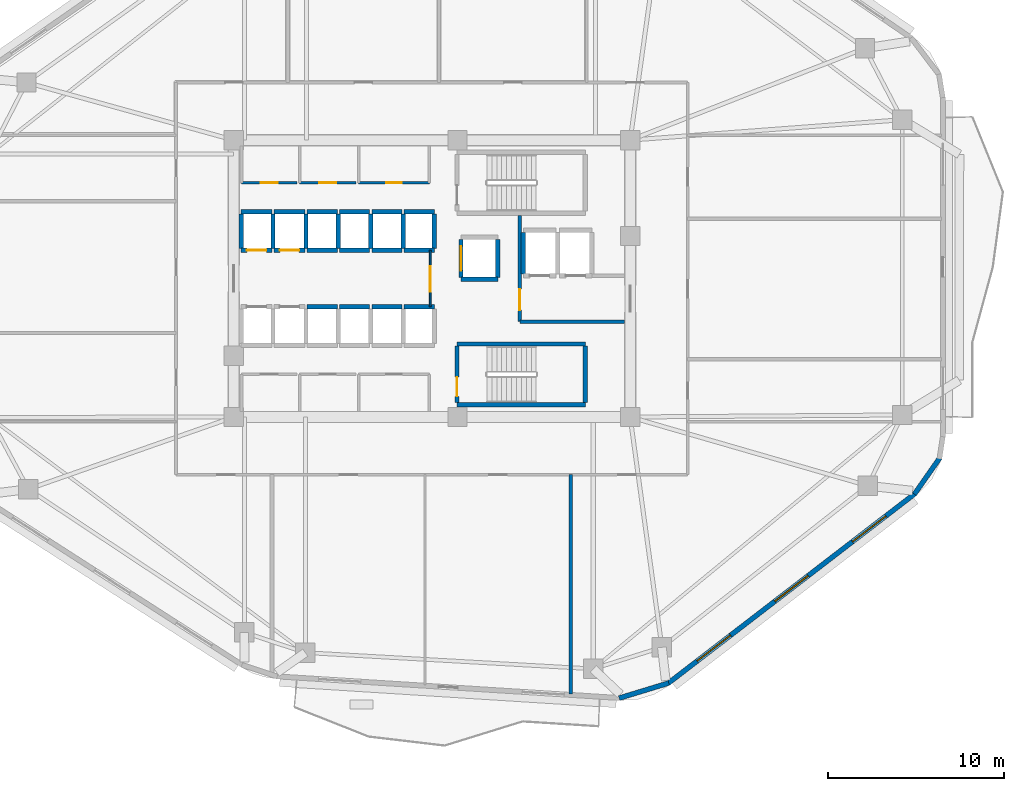
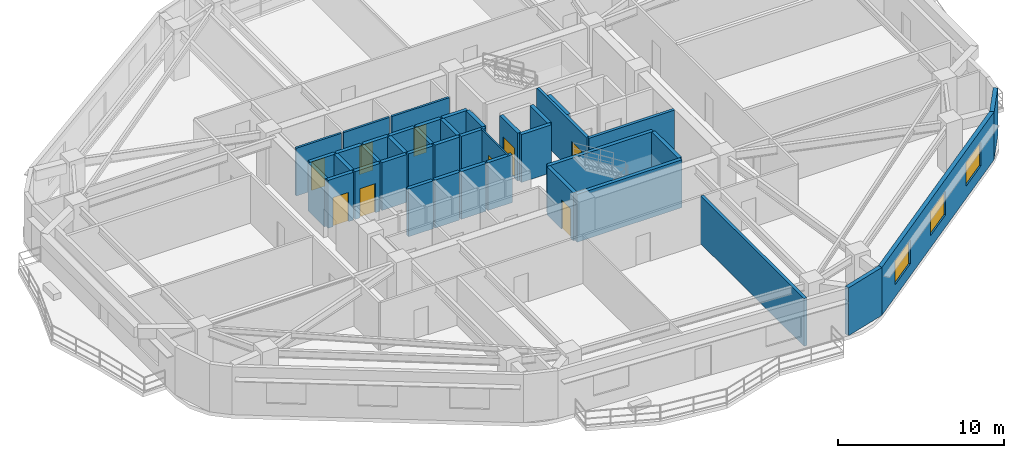
# One storey, part 8 of 13: 41 walls, 9 doors, 3 windows, 12 openings.
"""IFC4 building model written with IfcOpenShell, lengths in metres."""

import ifcopenshell
import ifcopenshell.guid

model = None  # the IFC model being written
_history = None  # IfcOwnerHistory: only IFC2X3 demands one
_inside = {}  # id of a spatial element -> (the spatial element, [elements in it])
_under = {}  # id of a project, library or spatial element -> (it, [spatial elements below it])
_declared = {}  # id of a project -> (the project, [libraries it declares])
_typed = {}  # id of a type object -> (the type object, [elements of that type])
_made_of = {}  # id of a material, layer set ... -> (it, [elements and type objects made of it])


def new_model(schema):
    """Start an empty IFC model of exactly this schema.

    Asked for "IFC4X3", IfcOpenShell would pick the latest addendum, in which some entities
    have other attributes; the version numbers below select the first issue.
    IFC2X3 requires an IfcOwnerHistory on every rooted entity: one is made here for all.
    """
    global model, _history
    if schema == "IFC4X3":
        model = ifcopenshell.file(schema_version=(4, 3, 0, 0))
    else:
        model = ifcopenshell.file(schema=schema)
    _inside.clear()
    _under.clear()
    _declared.clear()
    _typed.clear()
    _made_of.clear()
    _history = None
    if model.schema == "IFC2X3":
        org = make("IfcOrganization", Name="unknown")
        user = make(
            "IfcPersonAndOrganization",
            ThePerson=make("IfcPerson", FamilyName="unknown"),
            TheOrganization=org,
        )
        app = make(
            "IfcApplication",
            ApplicationDeveloper=org,
            Version="unknown",
            ApplicationFullName="unknown",
            ApplicationIdentifier="unknown",
        )
        _history = make(
            "IfcOwnerHistory",
            OwningUser=user,
            OwningApplication=app,
            ChangeAction="ADDED",
            CreationDate=0,
        )
    return model


def make(cls, **values):
    """One entity of the class cls with the attributes given. An attribute that is None is left unset."""
    return model.create_entity(
        cls, **{name: value for name, value in values.items() if value is not None}
    )


def rooted(cls, **values):
    """An entity with a GlobalId (a new one), such as an element, a storey or a relation."""
    return make(cls, GlobalId=ifcopenshell.guid.new(), OwnerHistory=_history, **values)


def si_unit(unit_type, name, prefix=None):
    """IfcSIUnit, for example si_unit("LENGTHUNIT", "METRE", prefix="MILLI")."""
    return make("IfcSIUnit", UnitType=unit_type, Prefix=prefix, Name=name)


def assignment(units):
    """IfcUnitAssignment: the units of a project."""
    return None if units is None else make("IfcUnitAssignment", Units=units)


def point(xyz):
    """IfcCartesianPoint."""
    return None if xyz is None else make("IfcCartesianPoint", Coordinates=xyz)


def direction(xyz):
    """IfcDirection."""
    return None if xyz is None else make("IfcDirection", DirectionRatios=xyz)


def frame(location, z_axis=None, x_axis=None):
    """IfcAxis2Placement3D, a coordinate frame: its origin and axes. An axis left out is left unset."""
    return make(
        "IfcAxis2Placement3D",
        Location=point(location),
        Axis=direction(z_axis),
        RefDirection=direction(x_axis),
    )


def frame_2d(location, x_axis=None):
    """IfcAxis2Placement2D, a coordinate frame in the plane: its origin and x axis."""
    return make(
        "IfcAxis2Placement2D", Location=point(location), RefDirection=direction(x_axis)
    )


def origin():
    """The frame at (0, 0, 0) with its axes left unset."""
    return frame((0.0, 0.0, 0.0))


def place(relative_to, where):
    """IfcLocalPlacement: puts the frame where relative to a parent placement (None: the world)."""
    return make(
        "IfcLocalPlacement", PlacementRelTo=relative_to, RelativePlacement=where
    )


def context(
    kind, dimensions, precision=None, world=None, true_north=None, identifier=None
):
    """IfcGeometricRepresentationContext, for example the 3D "Model" context."""
    return make(
        "IfcGeometricRepresentationContext",
        ContextIdentifier=identifier,
        ContextType=kind,
        CoordinateSpaceDimension=dimensions,
        Precision=precision,
        WorldCoordinateSystem=world,
        TrueNorth=true_north,
    )


def subcontext(parent, identifier, kind, view, scale=None):
    """IfcGeometricRepresentationSubContext, for example "Body" below "Model"."""
    return make(
        "IfcGeometricRepresentationSubContext",
        ContextIdentifier=identifier,
        ContextType=kind,
        ParentContext=parent,
        TargetScale=scale,
        TargetView=view,
    )


def project(units=None, contexts=None):
    """IfcProject with its units and contexts."""
    return rooted(
        "IfcProject",
        Name="project",
        RepresentationContexts=contexts,
        UnitsInContext=assignment(units),
    )


def spatial(cls, under=None, at=None, **own):
    """A site, building, storey or space (cls), placed at a placement, below another one or the project."""
    s = rooted(cls, ObjectPlacement=at, **own)
    if under is not None:
        _under.setdefault(under.id(), (under, []))[1].append(s)
    return s


def profile(cls, at=None, kind="AREA", **sizes):
    """A parametric profile (cls). Its sizes go by their IFC names, for example OverallWidth=200.0."""
    return make(cls, ProfileType=kind, Position=at, **sizes)


def rectangle(**sizes):
    """IfcRectangleProfileDef."""
    return profile("IfcRectangleProfileDef", **sizes)


def extrude(swept, where, along, depth):
    """IfcExtrudedAreaSolid: the profile swept, set in the frame where, extruded along a direction by depth."""
    return make(
        "IfcExtrudedAreaSolid",
        SweptArea=swept,
        Position=where,
        ExtrudedDirection=direction(along),
        Depth=depth,
    )


def shape(context_of_items, identifier, shape_type, items):
    """IfcShapeRepresentation: the items that make up one representation, for example the "Body"."""
    return make(
        "IfcShapeRepresentation",
        ContextOfItems=context_of_items,
        RepresentationIdentifier=identifier,
        RepresentationType=shape_type,
        Items=items,
    )


def material(Name=None, Category=None):
    """IfcMaterial."""
    return make("IfcMaterial", Name=Name, Category=Category)


def layer(
    of_material, thickness, ventilated=None, Name=None, Category=None, Priority=None
):
    """IfcMaterialLayer: one layer of a wall or slab, of a material (None: an air gap)."""
    return make(
        "IfcMaterialLayer",
        Material=of_material,
        LayerThickness=thickness,
        IsVentilated=ventilated,
        Name=Name,
        Category=Category,
        Priority=Priority,
    )


def layer_set(layers, Name=None):
    """IfcMaterialLayerSet."""
    return make("IfcMaterialLayerSet", MaterialLayers=layers, LayerSetName=Name)


def made_of(thing, what):
    """Note that an element or type object is made of a material, layer set ...; save() writes the relation."""
    if what is not None:
        _made_of.setdefault(what.id(), (what, []))[1].append(thing)
    return thing


def type_object(cls, material=None, **own):
    """A type object (cls), such as IfcWallType, which elements share."""
    return made_of(rooted(cls, **own), material)


def element(
    cls,
    number,
    at=None,
    inside=None,
    cuts=None,
    type_object=None,
    material=None,
    context=None,
    identifier="Body",
    shape_type=None,
    held_by="IfcProductDefinitionShape",
    body=None,
    shapes=None,
    **own,
):
    """One element of the class cls, such as IfcWall. Its Tag is "e" and its number.

    at: its placement. inside: the storey or other place that contains it. cuts: it is an
    opening in that element (IfcRelVoidsElement). A single representation is given by context,
    identifier, shape_type and body (its items); several are given by shapes. held_by: the class
    of the entity that holds the representations. save() writes the other relations.
    """
    e = rooted(cls, Tag="e%d" % number, ObjectPlacement=at, **own)
    if body is not None:
        shapes = [shape(context, identifier, shape_type, body)]
    if shapes is not None:
        e.Representation = make(held_by, Representations=shapes)
    if inside is not None:
        _inside.setdefault(inside.id(), (inside, []))[1].append(e)
    if cuts is not None:
        rooted(
            "IfcRelVoidsElement", RelatingBuildingElement=cuts, RelatedOpeningElement=e
        )
    if type_object is not None:
        _typed.setdefault(type_object.id(), (type_object, []))[1].append(e)
    return made_of(e, material)


def fill(opening, filler):
    """IfcRelFillsElement: the door or window that sits in an opening."""
    return rooted(
        "IfcRelFillsElement",
        RelatingOpeningElement=opening,
        RelatedBuildingElement=filler,
    )


def aggregate(whole, parts):
    """IfcRelAggregates: a whole, such as a stair, and the parts it consists of."""
    return rooted("IfcRelAggregates", RelatingObject=whole, RelatedObjects=parts)


def save(model, path):
    """Write the relations noted so far, then the file.

    IfcRelAggregates (storeys below a building ...), IfcRelContainedInSpatialStructure (elements
    in a storey), IfcRelDefinesByType, IfcRelAssociatesMaterial and IfcRelDeclares: one each for
    every whole, place, type object, material and project.
    """
    for whole, parts in _under.values():
        aggregate(whole, parts)
    for where, things in _inside.values():
        rooted(
            "IfcRelContainedInSpatialStructure",
            RelatedElements=things,
            RelatingStructure=where,
        )
    for kind, things in _typed.values():
        rooted("IfcRelDefinesByType", RelatedObjects=things, RelatingType=kind)
    for what, things in _made_of.values():
        rooted("IfcRelAssociatesMaterial", RelatedObjects=things, RelatingMaterial=what)
    for by, libraries in _declared.values():
        rooted("IfcRelDeclares", RelatingContext=by, RelatedDefinitions=libraries)
    model.write(path)


model = new_model("IFC4")

# Units and contexts
model_context = context("Model", 3, precision=1e-05, world=origin(), true_north=direction((0.0, 1.0)))
body_context = subcontext(model_context, "Body", "Model", "MODEL_VIEW")
ifc_project = project(units=[si_unit("LENGTHUNIT", "METRE"), si_unit("AREAUNIT", "SQUARE_METRE"), si_unit("VOLUMEUNIT", "CUBIC_METRE"), si_unit("PLANEANGLEUNIT", "RADIAN"), si_unit("MASSUNIT", "GRAM", prefix="KILO")], contexts=[model_context])

# Site, building, storey
site_placement = place(None, origin())
site = spatial("IfcSite", under=ifc_project, at=site_placement, CompositionType="ELEMENT")
building_placement = place(site_placement, origin())
building = spatial("IfcBuilding", under=site, at=building_placement, Name="Zulverin Broadcast Headquarters", CompositionType="ELEMENT")
storey_placement = place(building_placement, frame((0.0, 0.0, 101.0)))
storey = spatial("IfcBuildingStorey", under=building, at=storey_placement, Name="L25", CompositionType="ELEMENT", Elevation=101.0)

# Wall
ifc_material_1 = material(Name="Acoustic drywall steel stud", Category="steel")
ifc_layer_1 = layer(ifc_material_1, 0.199951171875, Name="Acoustic drywall steel stud", Category="steel")
ifc_layer_set_1 = layer_set([ifc_layer_1], Name="Acoustic drywall steel stud")
wall_type_1 = type_object("IfcWallType", Name="WL-ACOU-200", PredefinedType="PARTITIONING", material=ifc_layer_set_1)
wall_1_placement = place(storey_placement, frame((44.89990234375, 1.580078125, 0.0), z_axis=(0.0, 0.0, 1.0), x_axis=(0.0, 1.0, 0.0)))
element("IfcWall", 1, at=wall_1_placement, inside=storey, type_object=wall_type_1, Name="L25 Room Partition Wall RP-03", PredefinedType="PARTITIONING", context=body_context, shape_type="SweptSolid", body=[
    extrude(rectangle(XDim=12.469970703125, YDim=0.199951171875, at=frame_2d((6.23486328125, 0.0))), origin(), (0.0, 0.0, 1.0), 3.52490234375),
])

# Wall, openings, windows
ifc_material_2 = material(Name="Insulated pale-metal clad concrete spandrel C40/50", Category="concrete")
ifc_layer_2 = layer(ifc_material_2, 0.280029296875, Name="Insulated pale-metal clad concrete spandrel C40/50", Category="concrete")
ifc_layer_set_2 = layer_set([ifc_layer_2], Name="Insulated pale-metal clad concrete spandrel C40/50")
wall_type_2 = type_object("IfcWallType", Name="WL-EXT-280", PredefinedType="STANDARD", material=ifc_layer_set_2)
wall_2_placement = place(storey_placement, frame((50.4287109375, 2.171630859375, 0.0), z_axis=(0.0, 0.0, 1.0), x_axis=(0.792937466367, 0.609303023488, 0.0)))
wall_2 = element("IfcWall", 2, at=wall_2_placement, inside=storey, type_object=wall_type_2, Name="L25 Pale-Metal Clad Spandrel Wall 2", PredefinedType="STANDARD", context=body_context, shape_type="SweptSolid", body=[
    extrude(rectangle(XDim=17.712890625, YDim=0.280029296875, at=frame_2d((8.8564453125, 0.0))), origin(), (0.0, 0.0, 1.0), 3.52490234375),
])
opening_1_placement = place(wall_2_placement, frame((2.08544921875, 0.0, 0.89990234375)))
opening_1 = element("IfcOpeningElement", 3, at=opening_1_placement, cuts=wall_2, Name="Opening W-L25-E21", PredefinedType="OPENING", context=body_context, shape_type="SweptSolid", body=[
    extrude(rectangle(XDim=2.39990234375, YDim=1.75, at=frame_2d((1.199951171875, 0.875))), frame((0.0, 0.14990234375, 0.0), z_axis=(0.0, -1.0, 0.0), x_axis=(1.0, 0.0, 0.0)), (0.0, 0.0, 1.0), 0.300048828125),
])
opening_2_placement = place(wall_2_placement, frame((7.656494140625, 0.0, 0.89990234375)))
opening_2 = element("IfcOpeningElement", 4, at=opening_2_placement, cuts=wall_2, Name="Opening W-L25-E22", PredefinedType="OPENING", context=body_context, shape_type="SweptSolid", body=[
    extrude(rectangle(XDim=2.39990234375, YDim=1.75, at=frame_2d((1.199951171875, 0.875))), frame((0.0, 0.14990234375, 0.0), z_axis=(0.0, -1.0, 0.0), x_axis=(1.0, 0.0, 0.0)), (0.0, 0.0, 1.0), 0.300048828125),
])
opening_3_placement = place(wall_2_placement, frame((13.227294921875, 0.0, 0.89990234375)))
opening_3 = element("IfcOpeningElement", 5, at=opening_3_placement, cuts=wall_2, Name="Opening W-L25-E23", PredefinedType="OPENING", context=body_context, shape_type="SweptSolid", body=[
    extrude(rectangle(XDim=2.39990234375, YDim=1.75, at=frame_2d((1.199951171875, 0.875))), frame((0.0, 0.14990234375, 0.0), z_axis=(0.0, -1.0, 0.0), x_axis=(1.0, 0.0, 0.0)), (0.0, 0.0, 1.0), 0.300048828125),
])
ifc_material_3 = material(Name="Pale anodized aluminium frame with solar-control low-E double glazing", Category="aluminium")
window_type = type_object("IfcWindowType", Name="WIN-RIB-2400", PartitioningType="SINGLE_PANEL", PredefinedType="WINDOW", material=ifc_material_3)
window_1_placement = place(opening_1_placement, origin())
window_1 = element("IfcWindow", 6, at=window_1_placement, inside=storey, type_object=window_type, Name="L25 Ribbon Glazing Window 2 1", OverallHeight=1.75, OverallWidth=2.39990234375, PartitioningType="SINGLE_PANEL", PredefinedType="WINDOW", context=body_context, shape_type="SweptSolid", body=[
    extrude(rectangle(XDim=2.39990234375, YDim=1.75, at=frame_2d((1.199951171875, 0.875))), frame((0.0, 0.030029296875, 0.0), z_axis=(0.0, -1.0, 0.0), x_axis=(1.0, 0.0, 0.0)), (0.0, 0.0, 1.0), 0.06005859375),
])
fill(opening_1, window_1)
window_2_placement = place(opening_2_placement, origin())
window_2 = element("IfcWindow", 7, at=window_2_placement, inside=storey, type_object=window_type, Name="L25 Ribbon Glazing Window 2 2", OverallHeight=1.75, OverallWidth=2.39990234375, PartitioningType="SINGLE_PANEL", PredefinedType="WINDOW", context=body_context, shape_type="SweptSolid", body=[
    extrude(rectangle(XDim=2.39990234375, YDim=1.75, at=frame_2d((1.199951171875, 0.875))), frame((0.0, 0.030029296875, 0.0), z_axis=(0.0, -1.0, 0.0), x_axis=(1.0, 0.0, 0.0)), (0.0, 0.0, 1.0), 0.06005859375),
])
fill(opening_2, window_2)
window_3_placement = place(opening_3_placement, origin())
window_3 = element("IfcWindow", 8, at=window_3_placement, inside=storey, type_object=window_type, Name="L25 Ribbon Glazing Window 2 3", OverallHeight=1.75, OverallWidth=2.39990234375, PartitioningType="SINGLE_PANEL", PredefinedType="WINDOW", context=body_context, shape_type="SweptSolid", body=[
    extrude(rectangle(XDim=2.39990234375, YDim=1.75, at=frame_2d((1.199951171875, 0.875))), frame((0.0, 0.030029296875, 0.0), z_axis=(0.0, -1.0, 0.0), x_axis=(1.0, 0.0, 0.0)), (0.0, 0.0, 1.0), 0.06005859375),
])
fill(opening_3, window_3)

# Walls
wall_3_placement = place(storey_placement, frame((47.649658203125, 1.3330078125, 0.0), z_axis=(0.0, 0.0, 1.0), x_axis=(0.956461287977, 0.291859220516, 0.0)))
element("IfcWall", 9, at=wall_3_placement, inside=storey, type_object=wall_type_2, Name="L25 Wind-Shaped Corner Spandrel Wall 1-1", PredefinedType="STANDARD", context=body_context, shape_type="SweptSolid", body=[
    extrude(rectangle(XDim=2.951904296875, YDim=0.280029296875, at=frame_2d((1.47607421875, 0.0))), origin(), (0.0, 0.0, 1.0), 3.52490234375),
])
wall_4_placement = place(storey_placement, frame((64.4443359375, 12.933349609375, 0.0), z_axis=(0.0, 0.0, 1.0), x_axis=(0.573176686443, 0.819431806875, 0.0)))
element("IfcWall", 10, at=wall_4_placement, inside=storey, type_object=wall_type_2, Name="L25 Wind-Shaped Corner Spandrel Wall 2-1", PredefinedType="STANDARD", context=body_context, shape_type="SweptSolid", body=[
    extrude(rectangle(XDim=2.524169921875, YDim=0.280029296875, at=frame_2d((1.26220703125, 0.0))), origin(), (0.0, 0.0, 1.0), 3.52490234375),
])

# Wall, opening, door
ifc_material_4 = material(Name="Concrete C40/50", Category="concrete")
ifc_layer_3 = layer(ifc_material_4, 0.199951171875, Name="Concrete C40/50", Category="concrete")
ifc_layer_set_3 = layer_set([ifc_layer_3], Name="Concrete C40/50")
wall_type_3 = type_object("IfcWallType", Name="WL-FFL-200", PredefinedType="SOLIDWALL", material=ifc_layer_set_3)
wall_5_placement = place(storey_placement, frame((42.0, 22.75, 0.0), z_axis=(0.0, 0.0, 1.0), x_axis=(0.0, 1.0, 0.0)))
wall_5 = element("IfcWall", 11, at=wall_5_placement, inside=storey, type_object=wall_type_3, Name="L25 Firefighting Lift Lobby West Wall", PredefinedType="SOLIDWALL", context=body_context, shape_type="SweptSolid", body=[
    extrude(rectangle(XDim=6.050048828125, YDim=0.199951171875, at=frame_2d((3.02490234375, 0.0))), origin(), (0.0, 0.0, 1.0), 3.52490234375),
])
opening_4_placement = place(wall_5_placement, frame((0.64990234375, 0.0, 0.0)))
opening_4 = element("IfcOpeningElement", 12, at=opening_4_placement, cuts=wall_5, Name="Opening D-L25-FFLW", PredefinedType="OPENING", context=body_context, shape_type="SweptSolid", body=[
    extrude(rectangle(XDim=1.199951171875, YDim=2.14990234375, at=frame_2d((0.60009765625, 1.074951171875))), frame((0.0, 0.10986328125, 0.0), z_axis=(0.0, -1.0, 0.0), x_axis=(1.0, 0.0, 0.0)), (0.0, 0.0, 1.0), 0.219970703125),
])
ifc_material_5 = material(Name="Fire-rated steel leaf and frame", Category="steel")
door_type_1 = type_object("IfcDoorType", Name="DR-FFL-1200", OperationType="SINGLE_SWING_RIGHT", PredefinedType="DOOR", material=ifc_material_5)
door_1_placement = place(opening_4_placement, origin())
door_1 = element("IfcDoor", 13, at=door_1_placement, inside=storey, type_object=door_type_1, Name="L25 Firefighting Lift Lobby Door", OperationType="SINGLE_SWING_RIGHT", OverallHeight=2.14990234375, OverallWidth=1.199951171875, PredefinedType="DOOR", context=body_context, shape_type="SweptSolid", body=[
    extrude(rectangle(XDim=1.199951171875, YDim=2.14990234375, at=frame_2d((0.60009765625, 1.074951171875))), frame((0.0, 0.02490234375, 0.0), z_axis=(0.0, -1.0, 0.0), x_axis=(1.0, 0.0, 0.0)), (0.0, 0.0, 1.0), 0.050048828125),
])
fill(opening_4, door_1)

# Wall
wall_6_placement = place(storey_placement, frame((42.0, 22.75, 0.0), z_axis=(0.0, 0.0, 1.0), x_axis=(1.0, 0.0, 0.0)))
element("IfcWall", 14, at=wall_6_placement, inside=storey, type_object=wall_type_3, Name="L25 Firefighting Lift Lobby South Wall", PredefinedType="SOLIDWALL", context=body_context, shape_type="SweptSolid", body=[
    extrude(rectangle(XDim=5.949951171875, YDim=0.199951171875, at=frame_2d((2.97509765625, 0.0))), origin(), (0.0, 0.0, 1.0), 3.52490234375),
])

# Wall, opening, door
ifc_material_6 = material(Name="Fire-rated acoustic laminated glass screen", Category="glass")
ifc_layer_4 = layer(ifc_material_6, 0.10009765625, Name="Fire-rated acoustic laminated glass screen", Category="glass")
ifc_layer_set_4 = layer_set([ifc_layer_4], Name="Fire-rated acoustic laminated glass screen")
wall_type_4 = type_object("IfcWallType", Name="WL-GLAZ-100", PredefinedType="PARTITIONING", material=ifc_layer_set_4)
wall_7_placement = place(storey_placement, frame((36.89990234375, 23.60009765625, 0.0), z_axis=(0.0, 0.0, 1.0), x_axis=(0.0, 1.0, 0.0)))
wall_7 = element("IfcWall", 15, at=wall_7_placement, inside=storey, type_object=wall_type_4, Name="L25 Core Goods & Stair Hall Screen", PredefinedType="PARTITIONING", context=body_context, shape_type="SweptSolid", body=[
    extrude(rectangle(XDim=3.199951171875, YDim=0.10009765625, at=frame_2d((1.60009765625, 0.0))), origin(), (0.0, 0.0, 1.0), 3.52490234375),
])
opening_5_placement = place(wall_7_placement, frame((0.85009765625, 0.0, 0.0)))
opening_5 = element("IfcOpeningElement", 16, at=opening_5_placement, cuts=wall_7, Name="Opening D-L25-CL3", PredefinedType="OPENING", context=body_context, shape_type="SweptSolid", body=[
    extrude(rectangle(XDim=1.449951171875, YDim=2.1201171875, at=frame_2d((0.72509765625, 1.06005859375))), frame((0.0, 0.06005859375, 0.0), z_axis=(0.0, -1.0, 0.0), x_axis=(1.0, 0.0, 0.0)), (0.0, 0.0, 1.0), 0.1201171875),
])
ifc_material_7 = material(Name="Fire-rated acoustic glazed double leaf", Category="glass")
door_type_2 = type_object("IfcDoorType", Name="DR-GLZ-1450", OperationType="DOUBLE_DOOR_SINGLE_SWING", PredefinedType="DOOR", material=ifc_material_7)
door_2_placement = place(opening_5_placement, origin())
door_2 = element("IfcDoor", 17, at=door_2_placement, inside=storey, type_object=door_type_2, Name="L25 Core Goods & Stair Hall Door", OperationType="DOUBLE_DOOR_SINGLE_SWING", OverallHeight=2.1201171875, OverallWidth=1.449951171875, PredefinedType="DOOR", context=body_context, shape_type="SweptSolid", body=[
    extrude(rectangle(XDim=1.449951171875, YDim=2.1201171875, at=frame_2d((0.72509765625, 1.06005859375))), frame((0.0, 0.02490234375, 0.0), z_axis=(0.0, -1.0, 0.0), x_axis=(1.0, 0.0, 0.0)), (0.0, 0.0, 1.0), 0.050048828125),
])
fill(opening_5, door_2)

ifc_material_8 = material(Name="Fire-rated gypsum stud partition", Category="gypsum")
ifc_layer_5 = layer(ifc_material_8, 0.14990234375, Name="Fire-rated gypsum stud partition", Category="gypsum")
ifc_layer_set_5 = layer_set([ifc_layer_5], Name="Fire-rated gypsum stud partition")
wall_type_5 = type_object("IfcWallType", Name="WL-PART-150", PredefinedType="PARTITIONING", material=ifc_layer_set_5)
wall_8_placement = place(storey_placement, frame((26.169921875, 30.64990234375, 0.0), z_axis=(0.0, 0.0, 1.0), x_axis=(1.0, 0.0, 0.0)))
wall_8 = element("IfcWall", 18, at=wall_8_placement, inside=storey, type_object=wall_type_5, Name="L25 Core Male WC Front Wall", PredefinedType="PARTITIONING", context=body_context, shape_type="SweptSolid", body=[
    extrude(rectangle(XDim=3.150146484375, YDim=0.14990234375, at=frame_2d((1.5751953125, 0.0))), origin(), (0.0, 0.0, 1.0), 3.52490234375),
])
opening_6_placement = place(wall_8_placement, frame((1.10009765625, 0.0, 0.0)))
opening_6 = element("IfcOpeningElement", 19, at=opening_6_placement, cuts=wall_8, Name="Opening D-L25-NC1", PredefinedType="OPENING", context=body_context, shape_type="SweptSolid", body=[
    extrude(rectangle(XDim=0.949951171875, YDim=2.10009765625, at=frame_2d((0.47509765625, 1.050048828125))), frame((0.0, 0.0849609375, 0.0), z_axis=(0.0, -1.0, 0.0), x_axis=(1.0, 0.0, 0.0)), (0.0, 0.0, 1.0), 0.169921875),
])
ifc_material_9 = material(Name="Fire-rated moisture-resistant laminate leaf", Category="wood")
door_type_3 = type_object("IfcDoorType", Name="DR-WC-950", OperationType="SINGLE_SWING_LEFT", PredefinedType="DOOR", material=ifc_material_9)
door_3_placement = place(opening_6_placement, origin())
door_3 = element("IfcDoor", 20, at=door_3_placement, inside=storey, type_object=door_type_3, Name="L25 Male WC Door", OperationType="SINGLE_SWING_LEFT", OverallHeight=2.10009765625, OverallWidth=0.949951171875, PredefinedType="DOOR", context=body_context, shape_type="SweptSolid", body=[
    extrude(rectangle(XDim=0.949951171875, YDim=2.10009765625, at=frame_2d((0.47509765625, 1.050048828125))), frame((0.0, 0.02490234375, 0.0), z_axis=(0.0, -1.0, 0.0), x_axis=(1.0, 0.0, 0.0)), (0.0, 0.0, 1.0), 0.050048828125),
])
fill(opening_6, door_3)

wall_9_placement = place(storey_placement, frame((29.47998046875, 30.64990234375, 0.0), z_axis=(0.0, 0.0, 1.0), x_axis=(1.0, 0.0, 0.0)))
wall_9 = element("IfcWall", 21, at=wall_9_placement, inside=storey, type_object=wall_type_5, Name="L25 Core Accessible WC Front Wall", PredefinedType="PARTITIONING", context=body_context, shape_type="SweptSolid", body=[
    extrude(rectangle(XDim=3.18994140625, YDim=0.14990234375, at=frame_2d((1.594970703125, 0.0))), origin(), (0.0, 0.0, 1.0), 3.52490234375),
])
opening_7_placement = place(wall_9_placement, frame((1.1201171875, 0.0, 0.0)))
opening_7 = element("IfcOpeningElement", 22, at=opening_7_placement, cuts=wall_9, Name="Opening D-L25-NC2", PredefinedType="OPENING", context=body_context, shape_type="SweptSolid", body=[
    extrude(rectangle(XDim=0.949951171875, YDim=2.10009765625, at=frame_2d((0.47509765625, 1.050048828125))), frame((0.0, 0.0849609375, 0.0), z_axis=(0.0, -1.0, 0.0), x_axis=(1.0, 0.0, 0.0)), (0.0, 0.0, 1.0), 0.169921875),
])
door_4_placement = place(opening_7_placement, origin())
door_4 = element("IfcDoor", 23, at=door_4_placement, inside=storey, type_object=door_type_3, Name="L25 Accessible WC Door", OperationType="SINGLE_SWING_RIGHT", OverallHeight=2.10009765625, OverallWidth=0.949951171875, PredefinedType="DOOR", context=body_context, shape_type="SweptSolid", body=[
    extrude(rectangle(XDim=0.949951171875, YDim=2.10009765625, at=frame_2d((0.47509765625, 1.050048828125))), frame((0.0, 0.02490234375, 0.0), z_axis=(0.0, -1.0, 0.0), x_axis=(1.0, 0.0, 0.0)), (0.0, 0.0, 1.0), 0.050048828125),
])
fill(opening_7, door_4)

wall_10_placement = place(storey_placement, frame((32.830078125, 30.64990234375, 0.0), z_axis=(0.0, 0.0, 1.0), x_axis=(1.0, 0.0, 0.0)))
wall_10 = element("IfcWall", 24, at=wall_10_placement, inside=storey, type_object=wall_type_5, Name="L25 Core Electrical Distribution Riser Front Wall", PredefinedType="PARTITIONING", context=body_context, shape_type="SweptSolid", body=[
    extrude(rectangle(XDim=4.02001953125, YDim=0.14990234375, at=frame_2d((2.010009765625, 0.0))), origin(), (0.0, 0.0, 1.0), 3.52490234375),
])
opening_8_placement = place(wall_10_placement, frame((1.56005859375, 0.0, 0.0)))
opening_8 = element("IfcOpeningElement", 25, at=opening_8_placement, cuts=wall_10, Name="Opening D-L25-NC3", PredefinedType="OPENING", context=body_context, shape_type="SweptSolid", body=[
    extrude(rectangle(XDim=0.89990234375, YDim=2.10009765625, at=frame_2d((0.449951171875, 1.050048828125))), frame((0.0, 0.0849609375, 0.0), z_axis=(0.0, -1.0, 0.0), x_axis=(1.0, 0.0, 0.0)), (0.0, 0.0, 1.0), 0.169921875),
])
ifc_material_10 = material(Name="Powder-coated steel access leaf", Category="steel")
door_type_4 = type_object("IfcDoorType", Name="DR-RISER-900", OperationType="SINGLE_SWING_LEFT", PredefinedType="DOOR", material=ifc_material_10)
door_5_placement = place(opening_8_placement, origin())
door_5 = element("IfcDoor", 26, at=door_5_placement, inside=storey, type_object=door_type_4, Name="L25 Electrical Distribution Riser Door", OperationType="SINGLE_SWING_LEFT", OverallHeight=2.10009765625, OverallWidth=0.89990234375, PredefinedType="DOOR", context=body_context, shape_type="SweptSolid", body=[
    extrude(rectangle(XDim=0.89990234375, YDim=2.10009765625, at=frame_2d((0.449951171875, 1.050048828125))), frame((0.0, 0.02490234375, 0.0), z_axis=(0.0, -1.0, 0.0), x_axis=(1.0, 0.0, 0.0)), (0.0, 0.0, 1.0), 0.050048828125),
])
fill(opening_8, door_5)

# Walls
ifc_material_11 = material(Name="Concrete C50/60", Category="concrete")
ifc_layer_6 = layer(ifc_material_11, 0.25, Name="Concrete C50/60", Category="concrete")
ifc_layer_set_6 = layer_set([ifc_layer_6], Name="Concrete C50/60")
wall_type_6 = type_object("IfcWallType", Name="WL-SHAFT-250", PredefinedType="SHEAR", material=ifc_layer_set_6)
for number, where, z_axis, x_axis, name in (
    (27, (38.425048828125, 18.02490234375, 0.0), (0.0, 0.0, 1.0), (1.0, 0.0, 0.0), "L25 ST-2 Enclosure Wall S"),
    (28, (38.425048828125, 21.47509765625, 0.0), (0.0, 0.0, 1.0), (1.0, 0.0, 0.0), "L25 ST-2 Enclosure Wall N"),
):
    element("IfcWall", number, at=place(storey_placement, frame(where, z_axis=z_axis, x_axis=x_axis)), inside=storey, type_object=wall_type_6, Name=name, PredefinedType="SHEAR", context=body_context, shape_type="SweptSolid", body=[
        extrude(rectangle(XDim=7.300048828125, YDim=0.25, at=frame_2d((3.64990234375, 0.0))), origin(), (0.0, 0.0, 1.0), 3.52490234375),
    ])

# Wall, opening, door
wall_11_placement = place(storey_placement, frame((38.425048828125, 18.14990234375, 0.0), z_axis=(0.0, 0.0, 1.0), x_axis=(0.0, 1.0, 0.0)))
wall_11 = element("IfcWall", 29, at=wall_11_placement, inside=storey, type_object=wall_type_6, Name="L25 ST-2 Enclosure Wall W", PredefinedType="SHEAR", context=body_context, shape_type="SweptSolid", body=[
    extrude(rectangle(XDim=3.2001953125, YDim=0.25, at=frame_2d((1.60009765625, 0.0))), origin(), (0.0, 0.0, 1.0), 3.52490234375),
])
opening_9_placement = place(wall_11_placement, frame((0.35009765625, 0.0, 0.0)))
opening_9 = element("IfcOpeningElement", 30, at=opening_9_placement, cuts=wall_11, Name="Opening D-L25-ST-2", PredefinedType="OPENING", context=body_context, shape_type="SweptSolid", body=[
    extrude(rectangle(XDim=1.10009765625, YDim=2.14990234375, at=frame_2d((0.550048828125, 1.074951171875))), frame((0.0, 0.135009765625, 0.0), z_axis=(0.0, -1.0, 0.0), x_axis=(1.0, 0.0, 0.0)), (0.0, 0.0, 1.0), 0.27001953125),
])
door_type_5 = type_object("IfcDoorType", Name="DR-STAIR-1100", OperationType="SINGLE_SWING_LEFT", PredefinedType="DOOR", material=ifc_material_5)
door_6_placement = place(opening_9_placement, origin())
door_6 = element("IfcDoor", 31, at=door_6_placement, inside=storey, type_object=door_type_5, Name="L25 Exit Stair ST-2 Fire Door", OperationType="SINGLE_SWING_RIGHT", OverallHeight=2.14990234375, OverallWidth=1.10009765625, PredefinedType="DOOR", context=body_context, shape_type="SweptSolid", body=[
    extrude(rectangle(XDim=1.10009765625, YDim=2.14990234375, at=frame_2d((0.550048828125, 1.074951171875))), frame((0.0, 0.02490234375, 0.0), z_axis=(0.0, -1.0, 0.0), x_axis=(1.0, 0.0, 0.0)), (0.0, 0.0, 1.0), 0.050048828125),
])
fill(opening_9, door_6)

# Wall
wall_12_placement = place(storey_placement, frame((45.72509765625, 18.14990234375, 0.0), z_axis=(0.0, 0.0, 1.0), x_axis=(0.0, 1.0, 0.0)))
element("IfcWall", 32, at=wall_12_placement, inside=storey, type_object=wall_type_6, Name="L25 ST-2 Enclosure Wall E", PredefinedType="SHEAR", context=body_context, shape_type="SweptSolid", body=[
    extrude(rectangle(XDim=3.2001953125, YDim=0.25, at=frame_2d((1.60009765625, 0.0))), origin(), (0.0, 0.0, 1.0), 3.52490234375),
])

# Wall, opening, door
wall_13_placement = place(storey_placement, frame((26.14990234375, 26.800048828125, 0.0), z_axis=(0.0, 0.0, 1.0), x_axis=(1.0, 0.0, 0.0)))
wall_13 = element("IfcWall", 33, at=wall_13_placement, inside=storey, type_object=wall_type_6, Name="L25 Lift PL-L1 Shaft Wall S", PredefinedType="SHEAR", context=body_context, shape_type="SweptSolid", body=[
    extrude(rectangle(XDim=1.75, YDim=0.25, at=frame_2d((0.875, 0.0))), origin(), (0.0, 0.0, 1.0), 3.52490234375),
])
opening_10_placement = place(wall_13_placement, frame((0.324951171875, 0.0, 0.0)))
opening_10 = element("IfcOpeningElement", 34, at=opening_10_placement, cuts=wall_13, Name="Opening LD-PL-L1-L25", PredefinedType="OPENING", context=body_context, shape_type="SweptSolid", body=[
    extrude(rectangle(XDim=1.10009765625, YDim=2.14990234375, at=frame_2d((0.550048828125, 1.074951171875))), frame((0.0, 0.135009765625, 0.0), z_axis=(0.0, -1.0, 0.0), x_axis=(1.0, 0.0, 0.0)), (0.0, 0.0, 1.0), 0.27001953125),
])
ifc_material_12 = material(Name="Brushed stainless steel landing", Category="steel")
door_type_6 = type_object("IfcDoorType", Name="LD-PASS-1100", OperationType="DOUBLE_DOOR_SLIDING", PredefinedType="DOOR", material=ifc_material_12)
door_7_placement = place(opening_10_placement, origin())
door_7 = element("IfcDoor", 35, at=door_7_placement, inside=storey, type_object=door_type_6, Name="L25 Lift PL-L1 Sliding Landing Door", OperationType="DOUBLE_DOOR_SLIDING", OverallHeight=2.14990234375, OverallWidth=1.10009765625, PredefinedType="DOOR", context=body_context, shape_type="SweptSolid", body=[
    extrude(rectangle(XDim=1.10009765625, YDim=2.14990234375, at=frame_2d((0.550048828125, 1.074951171875))), frame((0.0, 0.02490234375, 0.0), z_axis=(0.0, -1.0, 0.0), x_axis=(1.0, 0.0, 0.0)), (0.0, 0.0, 1.0), 0.050048828125),
])
fill(opening_10, door_7)

# Walls
wall_14_placement = place(storey_placement, frame((26.14990234375, 29.0, 0.0), z_axis=(0.0, 0.0, 1.0), x_axis=(1.0, 0.0, 0.0)))
element("IfcWall", 36, at=wall_14_placement, inside=storey, type_object=wall_type_6, Name="L25 Lift PL-L1 Shaft Wall N", PredefinedType="SHEAR", context=body_context, shape_type="SweptSolid", body=[
    extrude(rectangle(XDim=1.75, YDim=0.25, at=frame_2d((0.875, 0.0))), origin(), (0.0, 0.0, 1.0), 3.52490234375),
])
for number, where, z_axis, x_axis, name in (
    (37, (26.14990234375, 26.919921875, 0.0), (0.0, 0.0, 1.0), (0.0, 1.0, 0.0), "L25 Lift PL-L1 Shaft Wall W"),
    (38, (27.9599609375, 26.919921875, 0.0), (0.0, 0.0, 1.0), (0.0, 1.0, 0.0), "L25 Lift PL-L1 Shaft Wall E"),
):
    element("IfcWall", number, at=place(storey_placement, frame(where, z_axis=z_axis, x_axis=x_axis)), inside=storey, type_object=wall_type_6, Name=name, PredefinedType="SHEAR", context=body_context, shape_type="SweptSolid", body=[
        extrude(rectangle(XDim=1.9599609375, YDim=0.25, at=frame_2d((0.97998046875, 0.0))), origin(), (0.0, 0.0, 1.0), 3.52490234375),
    ])

# Wall, opening, door
wall_15_placement = place(storey_placement, frame((28.02001953125, 26.800048828125, 0.0), z_axis=(0.0, 0.0, 1.0), x_axis=(1.0, 0.0, 0.0)))
wall_15 = element("IfcWall", 39, at=wall_15_placement, inside=storey, type_object=wall_type_6, Name="L25 Lift PL-L2 Shaft Wall S", PredefinedType="SHEAR", context=body_context, shape_type="SweptSolid", body=[
    extrude(rectangle(XDim=1.75, YDim=0.25, at=frame_2d((0.875, 0.0))), origin(), (0.0, 0.0, 1.0), 3.52490234375),
])
opening_11_placement = place(wall_15_placement, frame((0.324951171875, 0.0, 0.0)))
opening_11 = element("IfcOpeningElement", 40, at=opening_11_placement, cuts=wall_15, Name="Opening LD-PL-L2-L25", PredefinedType="OPENING", context=body_context, shape_type="SweptSolid", body=[
    extrude(rectangle(XDim=1.10009765625, YDim=2.14990234375, at=frame_2d((0.550048828125, 1.074951171875))), frame((0.0, 0.135009765625, 0.0), z_axis=(0.0, -1.0, 0.0), x_axis=(1.0, 0.0, 0.0)), (0.0, 0.0, 1.0), 0.27001953125),
])
door_8_placement = place(opening_11_placement, origin())
door_8 = element("IfcDoor", 41, at=door_8_placement, inside=storey, type_object=door_type_6, Name="L25 Lift PL-L2 Sliding Landing Door", OperationType="DOUBLE_DOOR_SLIDING", OverallHeight=2.14990234375, OverallWidth=1.10009765625, PredefinedType="DOOR", context=body_context, shape_type="SweptSolid", body=[
    extrude(rectangle(XDim=1.10009765625, YDim=2.14990234375, at=frame_2d((0.550048828125, 1.074951171875))), frame((0.0, 0.02490234375, 0.0), z_axis=(0.0, -1.0, 0.0), x_axis=(1.0, 0.0, 0.0)), (0.0, 0.0, 1.0), 0.050048828125),
])
fill(opening_11, door_8)

# Walls
wall_16_placement = place(storey_placement, frame((28.02001953125, 29.0, 0.0), z_axis=(0.0, 0.0, 1.0), x_axis=(1.0, 0.0, 0.0)))
element("IfcWall", 42, at=wall_16_placement, inside=storey, type_object=wall_type_6, Name="L25 Lift PL-L2 Shaft Wall N", PredefinedType="SHEAR", context=body_context, shape_type="SweptSolid", body=[
    extrude(rectangle(XDim=1.75, YDim=0.25, at=frame_2d((0.875, 0.0))), origin(), (0.0, 0.0, 1.0), 3.52490234375),
])
wall_17_placement = place(storey_placement, frame((29.8349609375, 26.919921875, 0.0), z_axis=(0.0, 0.0, 1.0), x_axis=(0.0, 1.0, 0.0)))
element("IfcWall", 43, at=wall_17_placement, inside=storey, type_object=wall_type_6, Name="L25 Lift PL-L2 Shaft Wall E", PredefinedType="SHEAR", context=body_context, shape_type="SweptSolid", body=[
    extrude(rectangle(XDim=1.9599609375, YDim=0.25, at=frame_2d((0.97998046875, 0.0))), origin(), (0.0, 0.0, 1.0), 3.52490234375),
])
wall_18_placement = place(storey_placement, frame((29.89990234375, 23.60009765625, 0.0), z_axis=(0.0, 0.0, 1.0), x_axis=(1.0, 0.0, 0.0)))
element("IfcWall", 44, at=wall_18_placement, inside=storey, type_object=wall_type_6, Name="L25 Lift PL-M1 Shaft Wall N", PredefinedType="SHEAR", context=body_context, shape_type="SweptSolid", body=[
    extrude(rectangle(XDim=1.72021484375, YDim=0.25, at=frame_2d((0.860107421875, 0.0))), origin(), (0.0, 0.0, 1.0), 3.52490234375),
])
for number, where, z_axis, x_axis, name in (
    (45, (31.739990234375, 23.60009765625, 0.0), (0.0, 0.0, 1.0), (1.0, 0.0, 0.0), "L25 Lift PL-M2 Shaft Wall N"),
    (46, (33.580078125, 23.60009765625, 0.0), (0.0, 0.0, 1.0), (1.0, 0.0, 0.0), "L25 Lift PL-M3 Shaft Wall N"),
    (47, (35.419921875, 23.60009765625, 0.0), (0.0, 0.0, 1.0), (1.0, 0.0, 0.0), "L25 Lift PL-M4 Shaft Wall N"),
):
    element("IfcWall", number, at=place(storey_placement, frame(where, z_axis=z_axis, x_axis=x_axis)), inside=storey, type_object=wall_type_6, Name=name, PredefinedType="SHEAR", context=body_context, shape_type="SweptSolid", body=[
        extrude(rectangle(XDim=1.719970703125, YDim=0.25, at=frame_2d((0.85986328125, 0.0))), origin(), (0.0, 0.0, 1.0), 3.52490234375),
    ])
for number, where, z_axis, x_axis, name in (
    (48, (29.89990234375, 26.800048828125, 0.0), (0.0, 0.0, 1.0), (1.0, 0.0, 0.0), "L25 Lift PL-H1 Shaft Wall S"),
    (49, (29.89990234375, 29.0, 0.0), (0.0, 0.0, 1.0), (1.0, 0.0, 0.0), "L25 Lift PL-H1 Shaft Wall N"),
):
    element("IfcWall", number, at=place(storey_placement, frame(where, z_axis=z_axis, x_axis=x_axis)), inside=storey, type_object=wall_type_6, Name=name, PredefinedType="SHEAR", context=body_context, shape_type="SweptSolid", body=[
        extrude(rectangle(XDim=1.72021484375, YDim=0.25, at=frame_2d((0.860107421875, 0.0))), origin(), (0.0, 0.0, 1.0), 3.52490234375),
    ])
wall_19_placement = place(storey_placement, frame((31.679931640625, 26.919921875, 0.0), z_axis=(0.0, 0.0, 1.0), x_axis=(0.0, 1.0, 0.0)))
element("IfcWall", 50, at=wall_19_placement, inside=storey, type_object=wall_type_6, Name="L25 Lift PL-H1 Shaft Wall E", PredefinedType="SHEAR", context=body_context, shape_type="SweptSolid", body=[
    extrude(rectangle(XDim=1.9599609375, YDim=0.25, at=frame_2d((0.97998046875, 0.0))), origin(), (0.0, 0.0, 1.0), 3.52490234375),
])
for number, where, z_axis, x_axis, name in (
    (51, (31.739990234375, 26.800048828125, 0.0), (0.0, 0.0, 1.0), (1.0, 0.0, 0.0), "L25 Lift PL-H2 Shaft Wall S"),
    (52, (31.739990234375, 29.0, 0.0), (0.0, 0.0, 1.0), (1.0, 0.0, 0.0), "L25 Lift PL-H2 Shaft Wall N"),
):
    element("IfcWall", number, at=place(storey_placement, frame(where, z_axis=z_axis, x_axis=x_axis)), inside=storey, type_object=wall_type_6, Name=name, PredefinedType="SHEAR", context=body_context, shape_type="SweptSolid", body=[
        extrude(rectangle(XDim=1.719970703125, YDim=0.25, at=frame_2d((0.85986328125, 0.0))), origin(), (0.0, 0.0, 1.0), 3.52490234375),
    ])
wall_20_placement = place(storey_placement, frame((33.52001953125, 26.919921875, 0.0), z_axis=(0.0, 0.0, 1.0), x_axis=(0.0, 1.0, 0.0)))
element("IfcWall", 53, at=wall_20_placement, inside=storey, type_object=wall_type_6, Name="L25 Lift PL-H2 Shaft Wall E", PredefinedType="SHEAR", context=body_context, shape_type="SweptSolid", body=[
    extrude(rectangle(XDim=1.9599609375, YDim=0.25, at=frame_2d((0.97998046875, 0.0))), origin(), (0.0, 0.0, 1.0), 3.52490234375),
])
for number, where, z_axis, x_axis, name in (
    (54, (33.580078125, 26.800048828125, 0.0), (0.0, 0.0, 1.0), (1.0, 0.0, 0.0), "L25 Lift PL-H3 Shaft Wall S"),
    (55, (33.580078125, 29.0, 0.0), (0.0, 0.0, 1.0), (1.0, 0.0, 0.0), "L25 Lift PL-H3 Shaft Wall N"),
):
    element("IfcWall", number, at=place(storey_placement, frame(where, z_axis=z_axis, x_axis=x_axis)), inside=storey, type_object=wall_type_6, Name=name, PredefinedType="SHEAR", context=body_context, shape_type="SweptSolid", body=[
        extrude(rectangle(XDim=1.719970703125, YDim=0.25, at=frame_2d((0.85986328125, 0.0))), origin(), (0.0, 0.0, 1.0), 3.52490234375),
    ])
wall_21_placement = place(storey_placement, frame((35.360107421875, 26.919921875, 0.0), z_axis=(0.0, 0.0, 1.0), x_axis=(0.0, 1.0, 0.0)))
element("IfcWall", 56, at=wall_21_placement, inside=storey, type_object=wall_type_6, Name="L25 Lift PL-H3 Shaft Wall E", PredefinedType="SHEAR", context=body_context, shape_type="SweptSolid", body=[
    extrude(rectangle(XDim=1.9599609375, YDim=0.25, at=frame_2d((0.97998046875, 0.0))), origin(), (0.0, 0.0, 1.0), 3.52490234375),
])
for number, where, z_axis, x_axis, name in (
    (57, (35.419921875, 26.800048828125, 0.0), (0.0, 0.0, 1.0), (1.0, 0.0, 0.0), "L25 Lift PL-H4 Shaft Wall S"),
    (58, (35.419921875, 29.0, 0.0), (0.0, 0.0, 1.0), (1.0, 0.0, 0.0), "L25 Lift PL-H4 Shaft Wall N"),
):
    element("IfcWall", number, at=place(storey_placement, frame(where, z_axis=z_axis, x_axis=x_axis)), inside=storey, type_object=wall_type_6, Name=name, PredefinedType="SHEAR", context=body_context, shape_type="SweptSolid", body=[
        extrude(rectangle(XDim=1.719970703125, YDim=0.25, at=frame_2d((0.85986328125, 0.0))), origin(), (0.0, 0.0, 1.0), 3.52490234375),
    ])
wall_22_placement = place(storey_placement, frame((37.139892578125, 26.919921875, 0.0), z_axis=(0.0, 0.0, 1.0), x_axis=(0.0, 1.0, 0.0)))
element("IfcWall", 59, at=wall_22_placement, inside=storey, type_object=wall_type_6, Name="L25 Lift PL-H4 Shaft Wall E", PredefinedType="SHEAR", context=body_context, shape_type="SweptSolid", body=[
    extrude(rectangle(XDim=1.9599609375, YDim=0.25, at=frame_2d((0.97998046875, 0.0))), origin(), (0.0, 0.0, 1.0), 3.52490234375),
])
wall_23_placement = place(storey_placement, frame((42.199951171875, 25.469970703125, 0.0), z_axis=(0.0, 0.0, 1.0), x_axis=(0.0, 1.0, 0.0)))
element("IfcWall", 60, at=wall_23_placement, inside=storey, type_object=wall_type_6, Name="L25 Lift FFL-1 Shaft Wall W", PredefinedType="SHEAR", context=body_context, shape_type="SweptSolid", body=[
    extrude(rectangle(XDim=2.360107421875, YDim=0.25, at=frame_2d((1.18017578125, 0.0))), origin(), (0.0, 0.0, 1.0), 3.52490234375),
])
wall_24_placement = place(storey_placement, frame((38.64990234375, 25.14990234375, 0.0), z_axis=(0.0, 0.0, 1.0), x_axis=(1.0, 0.0, 0.0)))
element("IfcWall", 61, at=wall_24_placement, inside=storey, type_object=wall_type_6, Name="L25 Lift SVL-1 Shaft Wall S", PredefinedType="SHEAR", context=body_context, shape_type="SweptSolid", body=[
    extrude(rectangle(XDim=2.10009765625, YDim=0.25, at=frame_2d((1.050048828125, 0.0))), origin(), (0.0, 0.0, 1.0), 3.52490234375),
])

# Wall, opening, door
wall_25_placement = place(storey_placement, frame((38.64990234375, 25.27001953125, 0.0), z_axis=(0.0, 0.0, 1.0), x_axis=(0.0, 1.0, 0.0)))
wall_25 = element("IfcWall", 62, at=wall_25_placement, inside=storey, type_object=wall_type_6, Name="L25 Lift SVL-1 Shaft Wall W", PredefinedType="SHEAR", context=body_context, shape_type="SweptSolid", body=[
    extrude(rectangle(XDim=2.159912109375, YDim=0.25, at=frame_2d((1.080078125, 0.0))), origin(), (0.0, 0.0, 1.0), 3.52490234375),
])
opening_12_placement = place(wall_25_placement, frame((0.3798828125, 0.0, 0.0)))
opening_12 = element("IfcOpeningElement", 63, at=opening_12_placement, cuts=wall_25, Name="Opening LD-SVL-1-L25", PredefinedType="OPENING", context=body_context, shape_type="SweptSolid", body=[
    extrude(rectangle(XDim=1.39990234375, YDim=2.199951171875, at=frame_2d((0.699951171875, 1.10009765625))), frame((0.0, 0.135009765625, 0.0), z_axis=(0.0, -1.0, 0.0), x_axis=(1.0, 0.0, 0.0)), (0.0, 0.0, 1.0), 0.27001953125),
])
ifc_material_13 = material(Name="Heavy-duty stainless landing door", Category="steel")
door_type_7 = type_object("IfcDoorType", Name="LD-GOODS-1400", OperationType="DOUBLE_DOOR_SLIDING", PredefinedType="DOOR", material=ifc_material_13)
door_9_placement = place(opening_12_placement, origin())
door_9 = element("IfcDoor", 64, at=door_9_placement, inside=storey, type_object=door_type_7, Name="L25 Lift SVL-1 Sliding Landing Door", OperationType="DOUBLE_DOOR_SLIDING", OverallHeight=2.199951171875, OverallWidth=1.39990234375, PredefinedType="DOOR", context=body_context, shape_type="SweptSolid", body=[
    extrude(rectangle(XDim=1.39990234375, YDim=2.199951171875, at=frame_2d((0.699951171875, 1.10009765625))), frame((0.0, 0.02490234375, 0.0), z_axis=(0.0, -1.0, 0.0), x_axis=(1.0, 0.0, 0.0)), (0.0, 0.0, 1.0), 0.050048828125),
])
fill(opening_12, door_9)

# Wall
wall_26_placement = place(storey_placement, frame((40.75, 25.27001953125, 0.0), z_axis=(0.0, 0.0, 1.0), x_axis=(0.0, 1.0, 0.0)))
element("IfcWall", 65, at=wall_26_placement, inside=storey, type_object=wall_type_6, Name="L25 Lift SVL-1 Shaft Wall E", PredefinedType="SHEAR", context=body_context, shape_type="SweptSolid", body=[
    extrude(rectangle(XDim=2.159912109375, YDim=0.25, at=frame_2d((1.080078125, 0.0))), origin(), (0.0, 0.0, 1.0), 3.52490234375),
])

save(model, "model.ifc")
